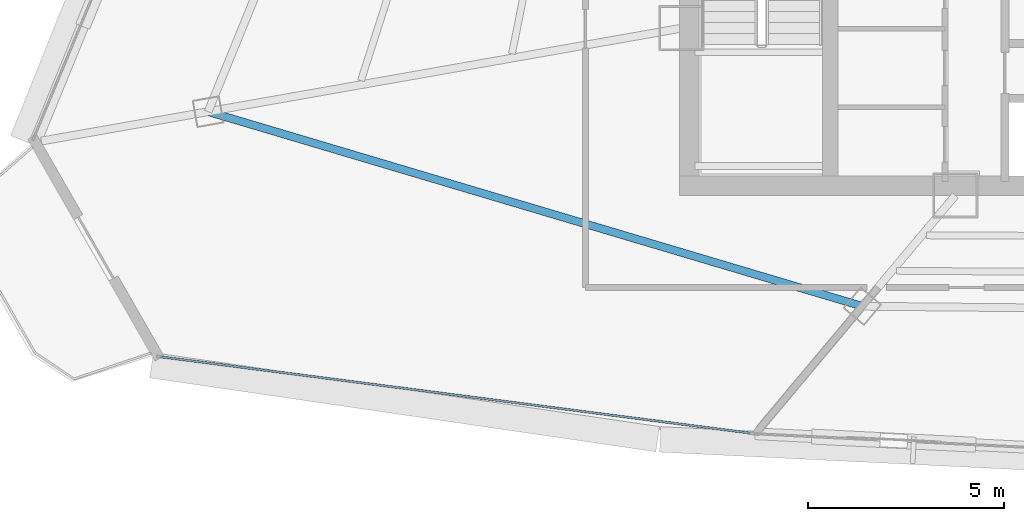
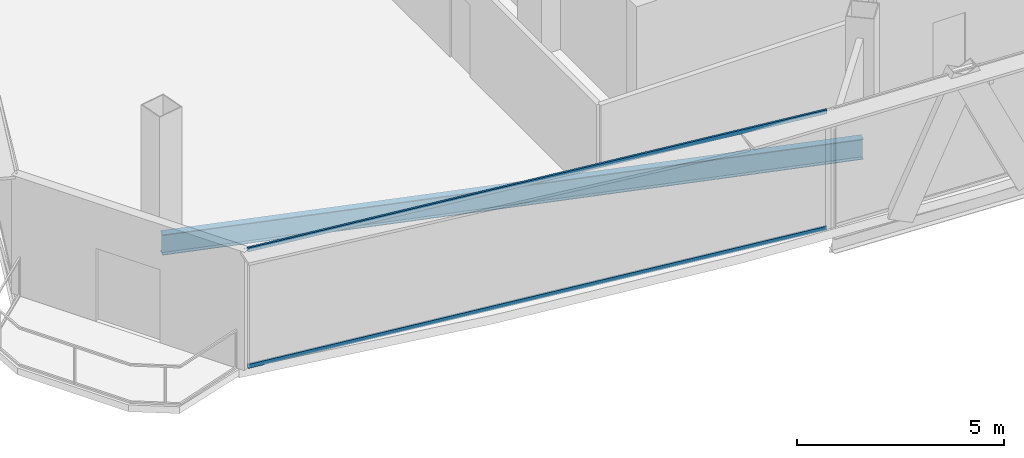
# One storey, part 3 of 33: 2 members, 1 beam, 1 element without a shape of its own.
"""IFC4 building model written with IfcOpenShell, lengths in metres."""

from ifc_helpers import new_model, si_unit, direction, frame, origin, origin_2d, place, context, subcontext, project, spatial, hollow_rectangle, i_section, extrude, source, transform, mapped, material, layer, layer_set, material_profile, profile_set, type_object, element, aggregate, save


model = new_model("IFC4")

# Units and contexts
model_context = context("Model", 3, precision=1e-05, world=origin(), true_north=direction((0.0, 1.0)))
body_context = subcontext(model_context, "Body", "Model", "MODEL_VIEW")
ifc_project = project(units=[si_unit("LENGTHUNIT", "METRE"), si_unit("AREAUNIT", "SQUARE_METRE"), si_unit("VOLUMEUNIT", "CUBIC_METRE"), si_unit("PLANEANGLEUNIT", "RADIAN"), si_unit("MASSUNIT", "GRAM", prefix="KILO"), si_unit("THERMODYNAMICTEMPERATUREUNIT", "KELVIN"), si_unit("POWERUNIT", "WATT")], contexts=[model_context])

# Site, building, storey
site_placement = place(None, origin())
site = spatial("IfcSite", under=ifc_project, at=site_placement, CompositionType="ELEMENT")
building_placement = place(site_placement, origin())
building = spatial("IfcBuilding", under=site, at=building_placement, Name="Yunzhuo Pagoda Commons", CompositionType="ELEMENT")
storey_placement = place(building_placement, frame((0.0, 0.0, 325.510009765625)))
storey = spatial("IfcBuildingStorey", under=building, at=storey_placement, Name="L81", CompositionType="ELEMENT", Elevation=325.510009765625)

# Beam
ifc_material_1 = material(Name="Structural steel Q355B", Category="steel")
ifc_material_profile_1 = material_profile(ifc_material_1, i_section(OverallWidth=0.199951171875, OverallDepth=0.60009765625, WebThickness=0.010986328125, FlangeThickness=0.01708984375, at=origin_2d()), Name="Structural steel Q355B")
ifc_profile_set_1 = profile_set([ifc_material_profile_1], Name="Structural steel Q355B")
beam_type = type_object("IfcBeamType", Name="B-RG3 Beam HN 600x200x11x17", PredefinedType="BEAM", material=ifc_profile_set_1)
shared_shape_1 = source(origin(), body_context, "Body", "SweptSolid", [
    extrude(i_section(OverallWidth=0.199951171875, OverallDepth=0.60009765625, WebThickness=0.010986328125, FlangeThickness=0.01708984375, at=origin_2d()), origin(), (0.0, 0.0, 1.0), 17.407470703125),
])
beam_placement = place(storey_placement, frame((23.52978515625, 29.38525390625, -0.56005859375), z_axis=(0.958484984609, -0.285143006717, 0.0), x_axis=(0.285143006717, 0.958484984609, 0.0)))
element("IfcBeam", 1, at=beam_placement, inside=storey, type_object=beam_type, Name="L81 column-ring beam 12", PredefinedType="BEAM", context=body_context, shape_type="MappedRepresentation", body=[
    mapped(shared_shape_1, transform((0.0, 0.0, 0.0), scale=1.0)),
])

# Curtain wall, members
ifc_material_2 = material(Name="Anodized aluminium 6063-T6", Category="aluminium")
ifc_layer = layer(ifc_material_2, 0.139892578125)
ifc_layer_set = layer_set([ifc_layer], Name="Anodized aluminium 6063-T6")
curtain_wall_type = type_object("IfcCurtainWallType", Name="CW-HI High-Zone Ribbon Curtain Wall", PredefinedType="NOTDEFINED", material=ifc_layer_set)
curtain_wall_placement = place(storey_placement, origin())
curtain_wall = element("IfcCurtainWall", 2, at=curtain_wall_placement, inside=storey, type_object=curtain_wall_type, Name="L81 curtain wall CW-L81-F1B1", PredefinedType="NOTDEFINED")
ifc_material_profile_2 = material_profile(ifc_material_2, hollow_rectangle(XDim=0.054931640625, YDim=0.1201171875, WallThickness=0.00341796875, at=origin_2d()), Name="Anodized aluminium 6063-T6")
ifc_profile_set_2 = profile_set([ifc_material_profile_2], Name="Anodized aluminium 6063-T6")
member_type = type_object("IfcMemberType", Name="CW-HI-T Transom RHS 120x55x3.5", PredefinedType="USERDEFINED", material=ifc_profile_set_2)
shared_shape_2 = source(origin(), body_context, "Body", "SweptSolid", [
    extrude(hollow_rectangle(XDim=0.054931640625, YDim=0.1201171875, WallThickness=0.00341796875, at=origin_2d()), origin(), (0.0, 0.0, 1.0), 15.1572265625),
])
member_1_placement = place(storey_placement, frame((22.31982421875, 23.13134765625, 0.027587890625), z_axis=(0.991736202571, -0.128293821011, 0.0), x_axis=(0.128293821011, 0.991736202571, 0.0)))
member_1 = element("IfcMember", 3, at=member_1_placement, type_object=member_type, Name="CW transom 1.1", ObjectType="TRANSOM", PredefinedType="USERDEFINED", context=body_context, shape_type="MappedRepresentation", body=[
    mapped(shared_shape_2, transform((0.0, 0.0, 0.0), scale=1.0)),
])
member_2_placement = place(storey_placement, frame((22.31982421875, 23.13134765625, 3.46240234375), z_axis=(0.991736202571, -0.128293821011, 0.0), x_axis=(0.128293821011, 0.991736202571, 0.0)))
member_2 = element("IfcMember", 4, at=member_2_placement, type_object=member_type, Name="CW transom 1.2", ObjectType="TRANSOM", PredefinedType="USERDEFINED", context=body_context, shape_type="MappedRepresentation", body=[
    mapped(shared_shape_2, transform((0.0, 0.0, 0.0), scale=1.0)),
])
aggregate(curtain_wall, [member_1, member_2])

save(model, "model.ifc")
